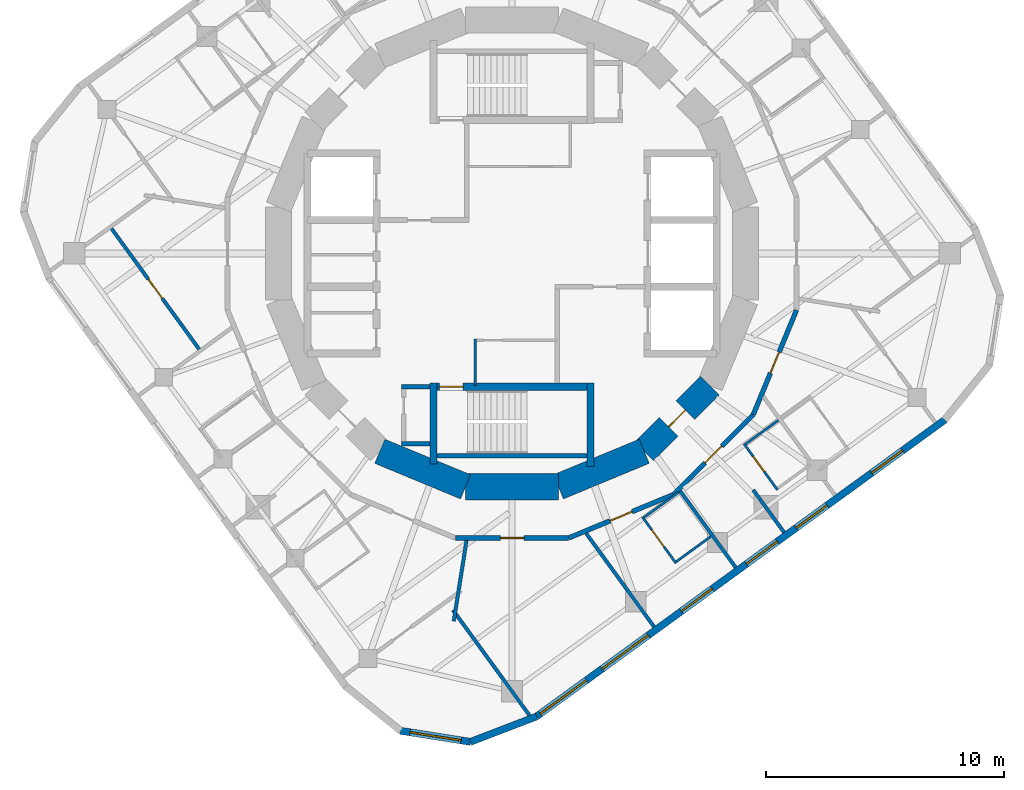
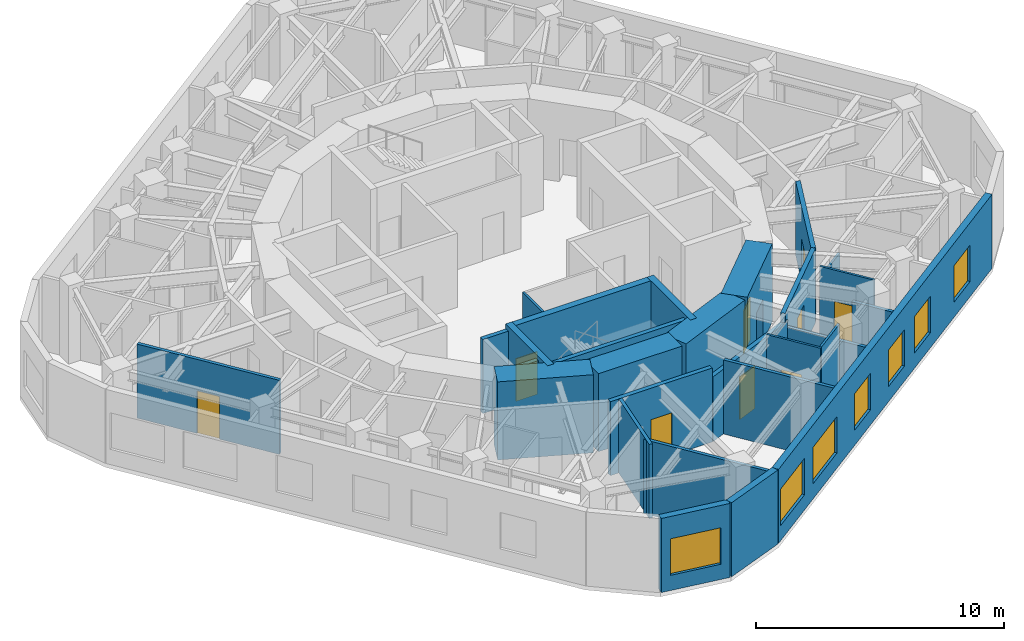
# One storey, part 4 of 9: 29 walls, 9 doors, 7 windows, 16 openings.
"""IFC4 building model written with IfcOpenShell, lengths in metres."""

from ifc_helpers import new_model, si_unit, direction, frame, frame_2d, origin, place, context, subcontext, project, spatial, rectangle, extrude, material, layer, layer_set, type_object, element, fill, save


model = new_model("IFC4")

# Units and contexts
model_context = context("Model", 3, precision=1e-05, world=origin(), true_north=direction((0.0, 1.0)))
body_context = subcontext(model_context, "Body", "Model", "MODEL_VIEW")
ifc_project = project(units=[si_unit("LENGTHUNIT", "METRE"), si_unit("AREAUNIT", "SQUARE_METRE"), si_unit("VOLUMEUNIT", "CUBIC_METRE"), si_unit("PLANEANGLEUNIT", "RADIAN"), si_unit("MASSUNIT", "GRAM", prefix="KILO")], contexts=[model_context])

# Site, building, storey
site_placement = place(None, origin())
site = spatial("IfcSite", under=ifc_project, at=site_placement, CompositionType="ELEMENT")
building_placement = place(site_placement, origin())
building = spatial("IfcBuilding", under=site, at=building_placement, Name="Nakasero Lantern House", CompositionType="ELEMENT")
storey_placement = place(building_placement, frame((0.0, 0.0, 290.699951171875)))
storey = spatial("IfcBuildingStorey", under=building, at=storey_placement, Name="L71", CompositionType="ELEMENT", Elevation=290.699951171875)

# Wall, opening, door
ifc_material_1 = material(Name="Concrete C50/60", Category="concrete")
ifc_layer_1 = layer(ifc_material_1, 0.300048828125)
ifc_layer_set_1 = layer_set([ifc_layer_1], Name="Core inner wall 300")
wall_type_1 = type_object("IfcWallType", Name="Core inner wall 300", PredefinedType="SHEAR", material=ifc_layer_set_1)
wall_1_placement = place(storey_placement, frame((-3.449951171875, -5.60009765625, 0.0), z_axis=(0.0, 0.0, 1.0), x_axis=(1.0, 0.0, 0.0)))
wall_1 = element("IfcWall", 1, at=wall_1_placement, inside=storey, type_object=wall_type_1, Name="Core inner wall L71 SS", PredefinedType="SHEAR", context=body_context, shape_type="SweptSolid", body=[
    extrude(rectangle(XDim=6.89990234375, YDim=0.300048828125, at=frame_2d((3.449951171875, 0.0))), origin(), (0.0, 0.0, 1.0), 3.85009765625),
])
opening_1_placement = place(wall_1_placement, frame((0.39990234375, 0.0, 0.0)))
opening_1 = element("IfcOpeningElement", 2, at=opening_1_placement, cuts=wall_1, Name="Opening D05", PredefinedType="OPENING", context=body_context, shape_type="SweptSolid", body=[
    extrude(rectangle(XDim=1.0, YDim=2.10009765625, at=frame_2d((0.5, 1.050048828125))), frame((0.0, 0.169921875, 0.0), z_axis=(0.0, -1.0, 0.0), x_axis=(1.0, 0.0, 0.0)), (0.0, 0.0, 1.0), 0.340087890625),
])
ifc_material_2 = material(Name="Timber C24", Category="wood")
door_type_1 = type_object("IfcDoorType", Name="Core door FD60S 1000", OperationType="SINGLE_SWING_LEFT", PredefinedType="DOOR", material=ifc_material_2)
door_1_placement = place(opening_1_placement, origin())
door_1 = element("IfcDoor", 3, at=door_1_placement, inside=storey, type_object=door_type_1, Name="Door L71 D-ST2", OperationType="SINGLE_SWING_LEFT", OverallHeight=2.10009765625, OverallWidth=1.0, PredefinedType="DOOR", context=body_context, shape_type="SweptSolid", body=[
    extrude(rectangle(XDim=1.0, YDim=2.10009765625, at=frame_2d((0.5, 1.050048828125))), frame((0.0, 0.02490234375, 0.0), z_axis=(0.0, -1.0, 0.0), x_axis=(1.0, 0.0, 0.0)), (0.0, 0.0, 1.0), 0.050048828125),
])
fill(opening_1, door_1)

# Walls
wall_2_placement = place(storey_placement, frame((-3.300048828125, -5.449951171875, 0.0), z_axis=(0.0, 0.0, 1.0), x_axis=(0.0, -1.0, 0.0)))
element("IfcWall", 4, at=wall_2_placement, inside=storey, type_object=wall_type_1, Name="Core inner wall L71 SSW", PredefinedType="SHEAR", context=body_context, shape_type="SweptSolid", body=[
    extrude(rectangle(XDim=3.400146484375, YDim=0.300048828125, at=frame_2d((1.7001953125, 0.0))), origin(), (0.0, 0.0, 1.0), 3.85009765625),
])
wall_3_placement = place(storey_placement, frame((3.300048828125, -5.449951171875, 0.0), z_axis=(0.0, 0.0, 1.0), x_axis=(0.0, -1.0, 0.0)))
element("IfcWall", 5, at=wall_3_placement, inside=storey, type_object=wall_type_1, Name="Core inner wall L71 SSE", PredefinedType="SHEAR", context=body_context, shape_type="SweptSolid", body=[
    extrude(rectangle(XDim=3.5, YDim=0.300048828125, at=frame_2d((1.75, 0.0))), origin(), (0.0, 0.0, 1.0), 3.85009765625),
])
ifc_material_3 = material(Name="Blockwork", Category="masonry")
ifc_layer_2 = layer(ifc_material_3, 0.10009765625)
ifc_layer_set_2 = layer_set([ifc_layer_2], Name="Core room wall 100")
wall_type_2 = type_object("IfcWallType", Name="Core room wall 100", PredefinedType="PARTITIONING", material=ifc_layer_set_2)
wall_4_placement = place(storey_placement, frame((-1.550048828125, -5.550048828125, 0.0), z_axis=(0.0, 0.0, 1.0), x_axis=(0.0, 1.0, 0.0)))
element("IfcWall", 6, at=wall_4_placement, inside=storey, type_object=wall_type_2, Name="Core room wall L71 CR-SWW", PredefinedType="PARTITIONING", context=body_context, shape_type="SweptSolid", body=[
    extrude(rectangle(XDim=1.949951171875, YDim=0.10009765625, at=frame_2d((0.97509765625, 0.0))), origin(), (0.0, 0.0, 1.0), 3.650146484375),
])
ifc_material_4 = material(Name="Concrete C50/60", Category="concrete")
ifc_layer_3 = layer(ifc_material_4, 1.10009765625)
ifc_layer_set_3 = layer_set([ifc_layer_3], Name="Core wall 1100")
wall_type_3 = type_object("IfcWallType", Name="Core wall 1100", PredefinedType="SHEAR", material=ifc_layer_set_3)
for number, where, z_axis, x_axis, name in (
    (7, (-5.5556640625, -8.314697265625, 0.0), (0.0, 0.0, 1.0), (0.923876507187, -0.382690736062, 0.0), "Core wall L71 facet 11"),
    (8, (-1.950927734375, -9.807861328125, 0.0), (0.0, 0.0, 1.0), (1.0, 0.0, 0.0), "Core wall L71 facet 12"),
    (9, (1.950927734375, -9.807861328125, 0.0), (0.0, 0.0, 1.0), (0.923876507187, 0.382690736062, 0.0), "Core wall L71 facet 13"),
):
    element("IfcWall", number, at=place(storey_placement, frame(where, z_axis=z_axis, x_axis=x_axis)), inside=storey, type_object=wall_type_3, Name=name, PredefinedType="SHEAR", context=body_context, shape_type="SweptSolid", body=[
        extrude(rectangle(XDim=3.90185546875, YDim=1.10009765625, at=frame_2d((1.950927734375, 0.0))), origin(), (0.0, 0.0, 1.0), 3.85009765625),
    ])

# Wall, opening, door
wall_5_placement = place(storey_placement, frame((5.5556640625, -8.314697265625, 0.0), z_axis=(0.0, 0.0, 1.0), x_axis=(0.707106781187, 0.707106781187, 0.0)))
wall_5 = element("IfcWall", 10, at=wall_5_placement, inside=storey, type_object=wall_type_3, Name="Core wall L71 facet 14", PredefinedType="SHEAR", context=body_context, shape_type="SweptSolid", body=[
    extrude(rectangle(XDim=3.90185546875, YDim=1.10009765625, at=frame_2d((1.950927734375, 0.0))), origin(), (0.0, 0.0, 1.0), 3.85009765625),
])
opening_2_placement = place(wall_5_placement, frame((1.450927734375, 0.0, 0.0)))
opening_2 = element("IfcOpeningElement", 11, at=opening_2_placement, cuts=wall_5, Name="Opening D05", PredefinedType="OPENING", context=body_context, shape_type="SweptSolid", body=[
    extrude(rectangle(XDim=1.0, YDim=2.10009765625, at=frame_2d((0.5, 1.050048828125))), frame((0.0, 0.570068359375, 0.0), z_axis=(0.0, -1.0, 0.0), x_axis=(1.0, 0.0, 0.0)), (0.0, 0.0, 1.0), 1.14013671875),
])
door_2_placement = place(opening_2_placement, origin())
door_2 = element("IfcDoor", 12, at=door_2_placement, inside=storey, type_object=door_type_1, Name="Door L71 D-CORE14", OperationType="SINGLE_SWING_LEFT", OverallHeight=2.10009765625, OverallWidth=1.0, PredefinedType="DOOR", context=body_context, shape_type="SweptSolid", body=[
    extrude(rectangle(XDim=1.0, YDim=2.10009765625, at=frame_2d((0.5, 1.050048828125))), frame((0.0, 0.02490234375, 0.0), z_axis=(0.0, -1.0, 0.0), x_axis=(1.0, 0.0, 0.0)), (0.0, 0.0, 1.0), 0.050048828125),
])
fill(opening_2, door_2)

ifc_material_5 = material(Name="Blockwork", Category="masonry")
ifc_layer_4 = layer(ifc_material_5, 0.199951171875)
ifc_layer_set_4 = layer_set([ifc_layer_4], Name="Corridor wall 200")
wall_type_4 = type_object("IfcWallType", Name="Corridor wall 200", PredefinedType="PARTITIONING", material=ifc_layer_set_4)
wall_6_placement = place(storey_placement, frame((11.957763671875, -2.378662109375, 0.0), z_axis=(0.0, 0.0, 1.0), x_axis=(-0.382653970627, -0.923891735412, 0.0)))
wall_6 = element("IfcWall", 13, at=wall_6_placement, inside=storey, type_object=wall_type_4, Name="Corridor wall L71 RC01a", PredefinedType="PARTITIONING", context=body_context, shape_type="SweptSolid", body=[
    extrude(rectangle(XDim=4.757080078125, YDim=0.199951171875, at=frame_2d((2.37841796875, 0.0))), origin(), (0.0, 0.0, 1.0), 3.650146484375),
])
opening_3_placement = place(wall_6_placement, frame((1.919921875, 0.0, 0.0)))
opening_3 = element("IfcOpeningElement", 14, at=opening_3_placement, cuts=wall_6, Name="Opening D01", PredefinedType="OPENING", context=body_context, shape_type="SweptSolid", body=[
    extrude(rectangle(XDim=0.949951171875, YDim=2.10009765625, at=frame_2d((0.47509765625, 1.050048828125))), frame((0.0, 0.119873046875, 0.0), z_axis=(0.0, -1.0, 0.0), x_axis=(1.0, 0.0, 0.0)), (0.0, 0.0, 1.0), 0.239990234375),
])
ifc_material_6 = material(Name="Timber C24", Category="wood")
door_type_2 = type_object("IfcDoorType", Name="Bedroom door FD30S 950", OperationType="SINGLE_SWING_LEFT", PredefinedType="DOOR", material=ifc_material_6)
door_3_placement = place(opening_3_placement, origin())
door_3 = element("IfcDoor", 15, at=door_3_placement, inside=storey, type_object=door_type_2, Name="Door L71 D3-06", OperationType="SINGLE_SWING_RIGHT", OverallHeight=2.10009765625, OverallWidth=0.949951171875, PredefinedType="DOOR", context=body_context, shape_type="SweptSolid", body=[
    extrude(rectangle(XDim=0.949951171875, YDim=2.10009765625, at=frame_2d((0.47509765625, 1.050048828125))), frame((0.0, 0.02490234375, 0.0), z_axis=(0.0, -1.0, 0.0), x_axis=(1.0, 0.0, 0.0)), (0.0, 0.0, 1.0), 0.050048828125),
])
fill(opening_3, door_3)

wall_7_placement = place(storey_placement, frame((10.137451171875, -6.773681640625, 0.0), z_axis=(0.0, 0.0, 1.0), x_axis=(-0.707106781187, -0.707106781187, 0.0)))
wall_7 = element("IfcWall", 16, at=wall_7_placement, inside=storey, type_object=wall_type_4, Name="Corridor wall L71 RC02a", PredefinedType="PARTITIONING", context=body_context, shape_type="SweptSolid", body=[
    extrude(rectangle(XDim=4.757080078125, YDim=0.199951171875, at=frame_2d((2.37841796875, 0.0))), origin(), (0.0, 0.0, 1.0), 3.650146484375),
])
opening_4_placement = place(wall_7_placement, frame((1.8701171875, 0.0, 0.0)))
opening_4 = element("IfcOpeningElement", 17, at=opening_4_placement, cuts=wall_7, Name="Opening D07", PredefinedType="OPENING", context=body_context, shape_type="SweptSolid", body=[
    extrude(rectangle(XDim=1.0, YDim=2.10009765625, at=frame_2d((0.5, 1.050048828125))), frame((0.0, 0.119873046875, 0.0), z_axis=(0.0, -1.0, 0.0), x_axis=(1.0, 0.0, 0.0)), (0.0, 0.0, 1.0), 0.239990234375),
])
ifc_material_7 = material(Name="Timber C24", Category="wood")
door_type_3 = type_object("IfcDoorType", Name="Room door FD30S 1000", OperationType="SINGLE_SWING_LEFT", PredefinedType="DOOR", material=ifc_material_7)
door_4_placement = place(opening_4_placement, origin())
door_4 = element("IfcDoor", 18, at=door_4_placement, inside=storey, type_object=door_type_3, Name="Door L71 D3-04", OperationType="SINGLE_SWING_LEFT", OverallHeight=2.10009765625, OverallWidth=1.0, PredefinedType="DOOR", context=body_context, shape_type="SweptSolid", body=[
    extrude(rectangle(XDim=1.0, YDim=2.10009765625, at=frame_2d((0.5, 1.050048828125))), frame((0.0, 0.02490234375, 0.0), z_axis=(0.0, -1.0, 0.0), x_axis=(1.0, 0.0, 0.0)), (0.0, 0.0, 1.0), 0.050048828125),
])
fill(opening_4, door_4)

wall_8_placement = place(storey_placement, frame((6.773681640625, -10.137451171875, 0.0), z_axis=(0.0, 0.0, 1.0), x_axis=(-0.923891735412, -0.382653970627, 0.0)))
wall_8 = element("IfcWall", 19, at=wall_8_placement, inside=storey, type_object=wall_type_4, Name="Corridor wall L71 RC03a", PredefinedType="PARTITIONING", context=body_context, shape_type="SweptSolid", body=[
    extrude(rectangle(XDim=4.757080078125, YDim=0.199951171875, at=frame_2d((2.37841796875, 0.0))), origin(), (0.0, 0.0, 1.0), 3.18994140625),
])
opening_5_placement = place(wall_8_placement, frame((1.8701171875, 0.0, 0.0)))
opening_5 = element("IfcOpeningElement", 20, at=opening_5_placement, cuts=wall_8, Name="Opening D07", PredefinedType="OPENING", context=body_context, shape_type="SweptSolid", body=[
    extrude(rectangle(XDim=1.0, YDim=2.10009765625, at=frame_2d((0.5, 1.050048828125))), frame((0.0, 0.119873046875, 0.0), z_axis=(0.0, -1.0, 0.0), x_axis=(1.0, 0.0, 0.0)), (0.0, 0.0, 1.0), 0.239990234375),
])
door_5_placement = place(opening_5_placement, origin())
door_5 = element("IfcDoor", 21, at=door_5_placement, inside=storey, type_object=door_type_3, Name="Door L71 D3-03", OperationType="SINGLE_SWING_LEFT", OverallHeight=2.10009765625, OverallWidth=1.0, PredefinedType="DOOR", context=body_context, shape_type="SweptSolid", body=[
    extrude(rectangle(XDim=1.0, YDim=2.10009765625, at=frame_2d((0.5, 1.050048828125))), frame((0.0, 0.02490234375, 0.0), z_axis=(0.0, -1.0, 0.0), x_axis=(1.0, 0.0, 0.0)), (0.0, 0.0, 1.0), 0.050048828125),
])
fill(opening_5, door_5)

wall_9_placement = place(storey_placement, frame((2.378662109375, -11.957763671875, 0.0), z_axis=(0.0, 0.0, 1.0), x_axis=(-1.0, 0.0, 0.0)))
wall_9 = element("IfcWall", 22, at=wall_9_placement, inside=storey, type_object=wall_type_4, Name="Corridor wall L71 RC04a", PredefinedType="PARTITIONING", context=body_context, shape_type="SweptSolid", body=[
    extrude(rectangle(XDim=4.75732421875, YDim=0.199951171875, at=frame_2d((2.378662109375, 0.0))), origin(), (0.0, 0.0, 1.0), 3.650146484375),
])
opening_6_placement = place(wall_9_placement, frame((1.8701171875, 0.0, 0.0)))
opening_6 = element("IfcOpeningElement", 23, at=opening_6_placement, cuts=wall_9, Name="Opening D03", PredefinedType="OPENING", context=body_context, shape_type="SweptSolid", body=[
    extrude(rectangle(XDim=1.0, YDim=2.10009765625, at=frame_2d((0.5, 1.050048828125))), frame((0.0, 0.119873046875, 0.0), z_axis=(0.0, -1.0, 0.0), x_axis=(1.0, 0.0, 0.0)), (0.0, 0.0, 1.0), 0.239990234375),
])
ifc_material_8 = material(Name="Timber C24", Category="wood")
door_type_4 = type_object("IfcDoorType", Name="Lounge door FD30S 1000", OperationType="SINGLE_SWING_LEFT", PredefinedType="DOOR", material=ifc_material_8)
door_6_placement = place(opening_6_placement, origin())
door_6 = element("IfcDoor", 24, at=door_6_placement, inside=storey, type_object=door_type_4, Name="Door L71 DK3", OperationType="SINGLE_SWING_LEFT", OverallHeight=2.10009765625, OverallWidth=1.0, PredefinedType="DOOR", context=body_context, shape_type="SweptSolid", body=[
    extrude(rectangle(XDim=1.0, YDim=2.10009765625, at=frame_2d((0.5, 1.050048828125))), frame((0.0, 0.02490234375, 0.0), z_axis=(0.0, -1.0, 0.0), x_axis=(1.0, 0.0, 0.0)), (0.0, 0.0, 1.0), 0.050048828125),
])
fill(opening_6, door_6)

ifc_material_9 = material(Name="Blockwork", Category="masonry")
ifc_layer_5 = layer(ifc_material_9, 0.10009765625)
ifc_layer_set_5 = layer_set([ifc_layer_5], Name="En-suite wall 100")
wall_type_5 = type_object("IfcWallType", Name="En-suite wall 100", PredefinedType="PARTITIONING", material=ifc_layer_set_5)
wall_10_placement = place(storey_placement, frame((5.48193359375, -11.078125, 0.0), z_axis=(0.0, 0.0, 1.0), x_axis=(0.587772420479, -0.809026317077, 0.0)))
wall_10 = element("IfcWall", 25, at=wall_10_placement, inside=storey, type_object=wall_type_5, Name="En-suite wall L71 ES3-03", PredefinedType="PARTITIONING", context=body_context, shape_type="SweptSolid", body=[
    extrude(rectangle(XDim=2.39990234375, YDim=0.10009765625, at=frame_2d((1.199951171875, 0.0))), origin(), (0.0, 0.0, 1.0), 3.650146484375),
])
opening_7_placement = place(wall_10_placement, frame((0.64990234375, 0.0, 0.0)))
opening_7 = element("IfcOpeningElement", 26, at=opening_7_placement, cuts=wall_10, Name="Opening D16", PredefinedType="OPENING", context=body_context, shape_type="SweptSolid", body=[
    extrude(rectangle(XDim=0.89990234375, YDim=2.10009765625, at=frame_2d((0.449951171875, 1.050048828125))), frame((0.0, 0.070068359375, 0.0), z_axis=(0.0, -1.0, 0.0), x_axis=(1.0, 0.0, 0.0)), (0.0, 0.0, 1.0), 0.14013671875),
])
ifc_material_10 = material(Name="Timber C24", Category="wood")
door_type_5 = type_object("IfcDoorType", Name="Accessible WC door 900", OperationType="SINGLE_SWING_RIGHT", PredefinedType="DOOR", material=ifc_material_10)
door_7_placement = place(opening_7_placement, origin())
door_7 = element("IfcDoor", 27, at=door_7_placement, inside=storey, type_object=door_type_5, Name="Door L71 DE3-03", OperationType="SINGLE_SWING_LEFT", OverallHeight=2.10009765625, OverallWidth=0.89990234375, PredefinedType="DOOR", context=body_context, shape_type="SweptSolid", body=[
    extrude(rectangle(XDim=0.89990234375, YDim=2.10009765625, at=frame_2d((0.449951171875, 1.050048828125))), frame((0.0, 0.02490234375, 0.0), z_axis=(0.0, -1.0, 0.0), x_axis=(1.0, 0.0, 0.0)), (0.0, 0.0, 1.0), 0.050048828125),
])
fill(opening_7, door_7)

# Walls
wall_11_placement = place(storey_placement, frame((6.903564453125, -12.949951171875, 0.0), z_axis=(0.0, 0.0, 1.0), x_axis=(0.809005783898, 0.58780068188, 0.0)))
element("IfcWall", 28, at=wall_11_placement, inside=storey, type_object=wall_type_5, Name="En-suite wall L71 EE3-03", PredefinedType="PARTITIONING", context=body_context, shape_type="SweptSolid", body=[
    extrude(rectangle(XDim=1.800048828125, YDim=0.10009765625, at=frame_2d((0.89990234375, 0.0))), origin(), (0.0, 0.0, 1.0), 3.650146484375),
])
wall_12_placement = place(storey_placement, frame((5.5517578125, -11.089111328125, 0.0), z_axis=(0.0, 0.0, 1.0), x_axis=(0.809070278701, 0.587711905718, 0.0)))
element("IfcWall", 29, at=wall_12_placement, inside=storey, type_object=wall_type_5, Name="En-suite wall L71 EI3-03", PredefinedType="PARTITIONING", context=body_context, shape_type="SweptSolid", body=[
    extrude(rectangle(XDim=1.800048828125, YDim=0.10009765625, at=frame_2d((0.89990234375, 0.0))), origin(), (0.0, 0.0, 1.0), 3.18994140625),
])

# Wall, opening, door
wall_13_placement = place(storey_placement, frame((9.747314453125, -7.998291015625, 0.0), z_axis=(0.0, 0.0, 1.0), x_axis=(0.587772420479, -0.809026317077, 0.0)))
wall_13 = element("IfcWall", 30, at=wall_13_placement, inside=storey, type_object=wall_type_5, Name="En-suite wall L71 ES3-04", PredefinedType="PARTITIONING", context=body_context, shape_type="SweptSolid", body=[
    extrude(rectangle(XDim=2.39990234375, YDim=0.10009765625, at=frame_2d((1.199951171875, 0.0))), origin(), (0.0, 0.0, 1.0), 3.650146484375),
])
opening_8_placement = place(wall_13_placement, frame((0.64990234375, 0.0, 0.0)))
opening_8 = element("IfcOpeningElement", 31, at=opening_8_placement, cuts=wall_13, Name="Opening D15", PredefinedType="OPENING", context=body_context, shape_type="SweptSolid", body=[
    extrude(rectangle(XDim=0.800048828125, YDim=2.10009765625, at=frame_2d((0.39990234375, 1.050048828125))), frame((0.0, 0.070068359375, 0.0), z_axis=(0.0, -1.0, 0.0), x_axis=(1.0, 0.0, 0.0)), (0.0, 0.0, 1.0), 0.14013671875),
])
ifc_material_11 = material(Name="Timber C24", Category="wood")
door_type_6 = type_object("IfcDoorType", Name="Cleaner's store door FD30S 800", OperationType="SINGLE_SWING_LEFT", PredefinedType="DOOR", material=ifc_material_11)
door_8_placement = place(opening_8_placement, origin())
door_8 = element("IfcDoor", 32, at=door_8_placement, inside=storey, type_object=door_type_6, Name="Door L71 DE3-04", OperationType="SINGLE_SWING_LEFT", OverallHeight=2.10009765625, OverallWidth=0.800048828125, PredefinedType="DOOR", context=body_context, shape_type="SweptSolid", body=[
    extrude(rectangle(XDim=0.800048828125, YDim=2.10009765625, at=frame_2d((0.39990234375, 1.050048828125))), frame((0.0, 0.02490234375, 0.0), z_axis=(0.0, -1.0, 0.0), x_axis=(1.0, 0.0, 0.0)), (0.0, 0.0, 1.0), 0.050048828125),
])
fill(opening_8, door_8)

# Wall
wall_14_placement = place(storey_placement, frame((9.817138671875, -8.00927734375, 0.0), z_axis=(0.0, 0.0, 1.0), x_axis=(0.808990636343, 0.587821529301, 0.0)))
element("IfcWall", 33, at=wall_14_placement, inside=storey, type_object=wall_type_5, Name="En-suite wall L71 EI3-04", PredefinedType="PARTITIONING", context=body_context, shape_type="SweptSolid", body=[
    extrude(rectangle(XDim=1.699951171875, YDim=0.10009765625, at=frame_2d((0.85009765625, 0.0))), origin(), (0.0, 0.0, 1.0), 3.18994140625),
])

# Wall, opening, window
ifc_material_12 = material(Name="Aluminium rainscreen on blockwork", Category="masonry")
ifc_layer_6 = layer(ifc_material_12, 0.300048828125)
ifc_layer_set_6 = layer_set([ifc_layer_6], Name="Facade wall 300")
wall_type_6 = type_object("IfcWallType", Name="Facade wall 300", PredefinedType="SOLIDWALL", material=ifc_layer_set_6)
wall_15_placement = place(storey_placement, frame((-4.683837890625, -20.05908203125, 0.0), z_axis=(0.0, 0.0, 1.0), x_axis=(0.987691704133, -0.156413227021, 0.0)))
wall_15 = element("IfcWall", 34, at=wall_15_placement, inside=storey, type_object=wall_type_6, Name="Facade wall L71 FW2C2", PredefinedType="SOLIDWALL", context=body_context, shape_type="SweptSolid", body=[
    extrude(rectangle(XDim=2.9765625, YDim=0.300048828125, at=frame_2d((1.48828125, 0.0))), origin(), (0.0, 0.0, 1.0), 3.650146484375),
])
opening_9_placement = place(wall_15_placement, frame((0.39990234375, 0.0, 0.75)))
opening_9 = element("IfcOpeningElement", 35, at=opening_9_placement, cuts=wall_15, Name="Opening W221", PredefinedType="OPENING", context=body_context, shape_type="SweptSolid", body=[
    extrude(rectangle(XDim=2.176025390625, YDim=1.800048828125, at=frame_2d((1.087890625, 0.89990234375))), frame((0.0, 0.169921875, 0.0), z_axis=(0.0, -1.0, 0.0), x_axis=(1.0, 0.0, 0.0)), (0.0, 0.0, 1.0), 0.340087890625),
])
ifc_material_13 = material(Name="Aluminium 6063-T6 and glass", Category="aluminium")
window_type_1 = type_object("IfcWindowType", Name="Corner window 2176x1800", PartitioningType="SINGLE_PANEL", PredefinedType="WINDOW", material=ifc_material_13)
window_1_placement = place(opening_9_placement, origin())
window_1 = element("IfcWindow", 36, at=window_1_placement, inside=storey, type_object=window_type_1, Name="Window L71 WC2", OverallHeight=1.800048828125, OverallWidth=2.176025390625, PartitioningType="SINGLE_PANEL", PredefinedType="WINDOW", context=body_context, shape_type="SweptSolid", body=[
    extrude(rectangle(XDim=2.176025390625, YDim=1.800048828125, at=frame_2d((1.087890625, 0.89990234375))), frame((0.0, 0.030029296875, 0.0), z_axis=(0.0, -1.0, 0.0), x_axis=(1.0, 0.0, 0.0)), (0.0, 0.0, 1.0), 0.06005859375),
])
fill(opening_9, window_1)

# Wall
wall_16_placement = place(storey_placement, frame((-1.743896484375, -20.524658203125, 0.0), z_axis=(0.0, 0.0, 1.0), x_axis=(0.933573745966, 0.35838535244, 0.0)))
element("IfcWall", 37, at=wall_16_placement, inside=storey, type_object=wall_type_6, Name="Facade wall L71 FW2C3", PredefinedType="SOLIDWALL", context=body_context, shape_type="SweptSolid", body=[
    extrude(rectangle(XDim=2.976318359375, YDim=0.300048828125, at=frame_2d((1.48828125, 0.0))), origin(), (0.0, 0.0, 1.0), 3.650146484375),
])

# Wall, openings, windows
wall_17_placement = place(storey_placement, frame((1.03466796875, -19.4580078125, 0.0), z_axis=(0.0, 0.0, 1.0), x_axis=(0.809013375328, 0.587790233451, 0.0)))
wall_17 = element("IfcWall", 38, at=wall_17_placement, inside=storey, type_object=wall_type_6, Name="Facade wall L71 FW3S", PredefinedType="SOLIDWALL", context=body_context, shape_type="SweptSolid", body=[
    extrude(rectangle(XDim=21.199951171875, YDim=0.300048828125, at=frame_2d((10.60009765625, 0.0))), origin(), (0.0, 0.0, 1.0), 3.650146484375),
])
opening_10_placement = place(wall_17_placement, frame((7.52783203125, 0.0, 0.75)))
opening_10 = element("IfcOpeningElement", 39, at=opening_10_placement, cuts=wall_17, Name="Opening W01", PredefinedType="OPENING", context=body_context, shape_type="SweptSolid", body=[
    extrude(rectangle(XDim=1.60009765625, YDim=1.800048828125, at=frame_2d((0.800048828125, 0.89990234375))), frame((0.0, 0.169921875, 0.0), z_axis=(0.0, -1.0, 0.0), x_axis=(1.0, 0.0, 0.0)), (0.0, 0.0, 1.0), 0.340087890625),
])
opening_11_placement = place(wall_17_placement, frame((10.904052734375, 0.0, 0.75)))
opening_11 = element("IfcOpeningElement", 40, at=opening_11_placement, cuts=wall_17, Name="Opening W01", PredefinedType="OPENING", context=body_context, shape_type="SweptSolid", body=[
    extrude(rectangle(XDim=1.60009765625, YDim=1.800048828125, at=frame_2d((0.800048828125, 0.89990234375))), frame((0.0, 0.169921875, 0.0), z_axis=(0.0, -1.0, 0.0), x_axis=(1.0, 0.0, 0.0)), (0.0, 0.0, 1.0), 0.340087890625),
])
opening_12_placement = place(wall_17_placement, frame((13.484619140625, 0.0, 0.75)))
opening_12 = element("IfcOpeningElement", 41, at=opening_12_placement, cuts=wall_17, Name="Opening W01", PredefinedType="OPENING", context=body_context, shape_type="SweptSolid", body=[
    extrude(rectangle(XDim=1.60009765625, YDim=1.800048828125, at=frame_2d((0.800048828125, 0.89990234375))), frame((0.0, 0.169921875, 0.0), z_axis=(0.0, -1.0, 0.0), x_axis=(1.0, 0.0, 0.0)), (0.0, 0.0, 1.0), 0.340087890625),
])
opening_13_placement = place(wall_17_placement, frame((17.410888671875, 0.0, 0.75)))
opening_13 = element("IfcOpeningElement", 42, at=opening_13_placement, cuts=wall_17, Name="Opening W01", PredefinedType="OPENING", context=body_context, shape_type="SweptSolid", body=[
    extrude(rectangle(XDim=1.60009765625, YDim=1.800048828125, at=frame_2d((0.800048828125, 0.89990234375))), frame((0.0, 0.169921875, 0.0), z_axis=(0.0, -1.0, 0.0), x_axis=(1.0, 0.0, 0.0)), (0.0, 0.0, 1.0), 0.340087890625),
])
opening_14_placement = place(wall_17_placement, frame((0.1904296875, 0.0, 0.75)))
opening_14 = element("IfcOpeningElement", 43, at=opening_14_placement, cuts=wall_17, Name="Opening W03", PredefinedType="OPENING", context=body_context, shape_type="SweptSolid", body=[
    extrude(rectangle(XDim=2.39990234375, YDim=1.800048828125, at=frame_2d((1.199951171875, 0.89990234375))), frame((0.0, 0.169921875, 0.0), z_axis=(0.0, -1.0, 0.0), x_axis=(1.0, 0.0, 0.0)), (0.0, 0.0, 1.0), 0.340087890625),
])
opening_15_placement = place(wall_17_placement, frame((3.401611328125, 0.0, 0.75)))
opening_15 = element("IfcOpeningElement", 44, at=opening_15_placement, cuts=wall_17, Name="Opening W03", PredefinedType="OPENING", context=body_context, shape_type="SweptSolid", body=[
    extrude(rectangle(XDim=2.39990234375, YDim=1.800048828125, at=frame_2d((1.199951171875, 0.89990234375))), frame((0.0, 0.169921875, 0.0), z_axis=(0.0, -1.0, 0.0), x_axis=(1.0, 0.0, 0.0)), (0.0, 0.0, 1.0), 0.340087890625),
])
ifc_material_14 = material(Name="Aluminium 6063-T6 and glass", Category="aluminium")
window_type_2 = type_object("IfcWindowType", Name="Bedroom window 1600x1800", PartitioningType="SINGLE_PANEL", PredefinedType="WINDOW", material=ifc_material_14)
window_2_placement = place(opening_10_placement, origin())
window_2 = element("IfcWindow", 45, at=window_2_placement, inside=storey, type_object=window_type_2, Name="Window L71 WN3-03", OverallHeight=1.800048828125, OverallWidth=1.60009765625, PartitioningType="SINGLE_PANEL", PredefinedType="WINDOW", context=body_context, shape_type="SweptSolid", body=[
    extrude(rectangle(XDim=1.60009765625, YDim=1.800048828125, at=frame_2d((0.800048828125, 0.89990234375))), frame((0.0, 0.030029296875, 0.0), z_axis=(0.0, -1.0, 0.0), x_axis=(1.0, 0.0, 0.0)), (0.0, 0.0, 1.0), 0.06005859375),
])
fill(opening_10, window_2)
window_3_placement = place(opening_11_placement, origin())
window_3 = element("IfcWindow", 46, at=window_3_placement, inside=storey, type_object=window_type_2, Name="Window L71 WN3-04", OverallHeight=1.800048828125, OverallWidth=1.60009765625, PartitioningType="SINGLE_PANEL", PredefinedType="WINDOW", context=body_context, shape_type="SweptSolid", body=[
    extrude(rectangle(XDim=1.60009765625, YDim=1.800048828125, at=frame_2d((0.800048828125, 0.89990234375))), frame((0.0, 0.030029296875, 0.0), z_axis=(0.0, -1.0, 0.0), x_axis=(1.0, 0.0, 0.0)), (0.0, 0.0, 1.0), 0.06005859375),
])
fill(opening_11, window_3)
window_4_placement = place(opening_12_placement, origin())
window_4 = element("IfcWindow", 47, at=window_4_placement, inside=storey, type_object=window_type_2, Name="Window L71 WN3-05", OverallHeight=1.800048828125, OverallWidth=1.60009765625, PartitioningType="SINGLE_PANEL", PredefinedType="WINDOW", context=body_context, shape_type="SweptSolid", body=[
    extrude(rectangle(XDim=1.60009765625, YDim=1.800048828125, at=frame_2d((0.800048828125, 0.89990234375))), frame((0.0, 0.030029296875, 0.0), z_axis=(0.0, -1.0, 0.0), x_axis=(1.0, 0.0, 0.0)), (0.0, 0.0, 1.0), 0.06005859375),
])
fill(opening_12, window_4)
window_5_placement = place(opening_13_placement, origin())
window_5 = element("IfcWindow", 48, at=window_5_placement, inside=storey, type_object=window_type_2, Name="Window L71 WN3-06", OverallHeight=1.800048828125, OverallWidth=1.60009765625, PartitioningType="SINGLE_PANEL", PredefinedType="WINDOW", context=body_context, shape_type="SweptSolid", body=[
    extrude(rectangle(XDim=1.60009765625, YDim=1.800048828125, at=frame_2d((0.800048828125, 0.89990234375))), frame((0.0, 0.030029296875, 0.0), z_axis=(0.0, -1.0, 0.0), x_axis=(1.0, 0.0, 0.0)), (0.0, 0.0, 1.0), 0.06005859375),
])
fill(opening_13, window_5)
ifc_material_15 = material(Name="Aluminium 6063-T6 and glass", Category="aluminium")
window_type_3 = type_object("IfcWindowType", Name="Lounge window 2400x1800", PartitioningType="SINGLE_PANEL", PredefinedType="WINDOW", material=ifc_material_15)
window_6_placement = place(opening_14_placement, origin())
window_6 = element("IfcWindow", 49, at=window_6_placement, inside=storey, type_object=window_type_3, Name="Window L71 WK3", OverallHeight=1.800048828125, OverallWidth=2.39990234375, PartitioningType="SINGLE_PANEL", PredefinedType="WINDOW", context=body_context, shape_type="SweptSolid", body=[
    extrude(rectangle(XDim=2.39990234375, YDim=1.800048828125, at=frame_2d((1.199951171875, 0.89990234375))), frame((0.0, 0.030029296875, 0.0), z_axis=(0.0, -1.0, 0.0), x_axis=(1.0, 0.0, 0.0)), (0.0, 0.0, 1.0), 0.06005859375),
])
fill(opening_14, window_6)
window_7_placement = place(opening_15_placement, origin())
window_7 = element("IfcWindow", 50, at=window_7_placement, inside=storey, type_object=window_type_3, Name="Window L71 WL3", OverallHeight=1.800048828125, OverallWidth=2.39990234375, PartitioningType="SINGLE_PANEL", PredefinedType="WINDOW", context=body_context, shape_type="SweptSolid", body=[
    extrude(rectangle(XDim=2.39990234375, YDim=1.800048828125, at=frame_2d((1.199951171875, 0.89990234375))), frame((0.0, 0.030029296875, 0.0), z_axis=(0.0, -1.0, 0.0), x_axis=(1.0, 0.0, 0.0)), (0.0, 0.0, 1.0), 0.06005859375),
])
fill(opening_15, window_7)

# Walls
ifc_material_16 = material(Name="Blockwork", Category="masonry")
ifc_layer_7 = layer(ifc_material_16, 0.199951171875)
ifc_layer_set_7 = layer_set([ifc_layer_7], Name="Fire lobby wall 200")
wall_type_7 = type_object("IfcWallType", Name="Fire lobby wall 200", PredefinedType="PARTITIONING", material=ifc_layer_set_7)
for number, where, z_axis, x_axis, name in (
    (51, (-3.449951171875, -8.0, 0.0), (0.0, 0.0, 1.0), (-1.0, 0.0, 0.0), "Fire lobby wall L71 W-RS2S"),
    (52, (-3.449951171875, -5.60009765625, 0.0), (0.0, 0.0, 1.0), (-1.0, 0.0, 0.0), "Fire lobby wall L71 W-RS2N"),
):
    element("IfcWall", number, at=place(storey_placement, frame(where, z_axis=z_axis, x_axis=x_axis)), inside=storey, type_object=wall_type_7, Name=name, PredefinedType="PARTITIONING", context=body_context, shape_type="SweptSolid", body=[
        extrude(rectangle(XDim=1.199951171875, YDim=0.199951171875, at=frame_2d((0.60009765625, 0.0))), origin(), (0.0, 0.0, 1.0), 3.650146484375),
    ])
wall_18_placement = place(storey_placement, frame((-3.300048828125, -8.5, 0.0), z_axis=(0.0, 0.0, 1.0), x_axis=(1.0, 0.0, 0.0)))
element("IfcWall", 53, at=wall_18_placement, inside=storey, type_object=wall_type_7, Name="Fire lobby wall L71 W-STS", PredefinedType="PARTITIONING", context=body_context, shape_type="SweptSolid", body=[
    extrude(rectangle(XDim=6.60009765625, YDim=0.199951171875, at=frame_2d((3.300048828125, 0.0))), origin(), (0.0, 0.0, 1.0), 3.650146484375),
])
ifc_material_17 = material(Name="Blockwork", Category="masonry")
ifc_layer_8 = layer(ifc_material_17, 0.14990234375)
ifc_layer_set_8 = layer_set([ifc_layer_8], Name="Party wall 150")
wall_type_8 = type_object("IfcWallType", Name="Party wall 150", PredefinedType="PARTITIONING", material=ifc_layer_set_8)
wall_19_placement = place(storey_placement, frame((-1.90966796875, -12.057861328125, 0.0), z_axis=(0.0, 0.0, 1.0), x_axis=(-0.156465405864, -0.987683439553, 0.0)))
element("IfcWall", 54, at=wall_19_placement, inside=storey, type_object=wall_type_8, Name="Party wall L71 PD2", PredefinedType="PARTITIONING", context=body_context, shape_type="SweptSolid", body=[
    extrude(rectangle(XDim=3.440673828125, YDim=0.14990234375, at=frame_2d((1.72021484375, 0.0))), origin(), (0.0, 0.0, 1.0), 3.650146484375),
])
wall_20_placement = place(storey_placement, frame((10.13818359375, -9.939208984375, 0.0), z_axis=(0.0, 0.0, 1.0), x_axis=(0.587821928992, -0.808990345923, 0.0)))
element("IfcWall", 55, at=wall_20_placement, inside=storey, type_object=wall_type_8, Name="Party wall L71 PN3-05", PredefinedType="PARTITIONING", context=body_context, shape_type="SweptSolid", body=[
    extrude(rectangle(XDim=2.199951171875, YDim=0.14990234375, at=frame_2d((1.10009765625, 0.0))), origin(), (0.0, 0.0, 1.0), 2.95703125),
])
wall_21_placement = place(storey_placement, frame((-2.48095703125, -14.9853515625, 0.0), z_axis=(0.0, 0.0, 1.0), x_axis=(0.587775959987, -0.809023745549, 0.0)))
element("IfcWall", 56, at=wall_21_placement, inside=storey, type_object=wall_type_8, Name="Party wall L71 PW3-01", PredefinedType="PARTITIONING", context=body_context, shape_type="SweptSolid", body=[
    extrude(rectangle(XDim=5.466552734375, YDim=0.14990234375, at=frame_2d((2.7333984375, 0.0))), origin(), (0.0, 0.0, 1.0), 3.650146484375),
])
wall_22_placement = place(storey_placement, frame((3.114990234375, -11.760986328125, 0.0), z_axis=(0.0, 0.0, 1.0), x_axis=(0.587779883253, -0.809020895183, 0.0)))
element("IfcWall", 57, at=wall_22_placement, inside=storey, type_object=wall_type_8, Name="Party wall L71 PW3-03", PredefinedType="PARTITIONING", context=body_context, shape_type="SweptSolid", body=[
    extrude(rectangle(XDim=4.854248046875, YDim=0.14990234375, at=frame_2d((2.42724609375, 0.0))), origin(), (0.0, 0.0, 1.0), 3.650146484375),
])
wall_23_placement = place(storey_placement, frame((7.067138671875, -9.985107421875, 0.0), z_axis=(0.0, 0.0, 1.0), x_axis=(0.587802119896, -0.809004739075, 0.0)))
element("IfcWall", 58, at=wall_23_placement, inside=storey, type_object=wall_type_8, Name="Party wall L71 PW3-04", PredefinedType="PARTITIONING", context=body_context, shape_type="SweptSolid", body=[
    extrude(rectangle(XDim=3.9677734375, YDim=0.14990234375, at=frame_2d((1.98388671875, 0.0))), origin(), (0.0, 0.0, 1.0), 2.809326171875),
])

# Wall, opening, door
wall_24_placement = place(storey_placement, frame((-16.8359375, 1.055908203125, 0.0), z_axis=(0.0, 0.0, 1.0), x_axis=(0.587781741398, -0.809019545177, 0.0)))
wall_24 = element("IfcWall", 59, at=wall_24_placement, inside=storey, type_object=wall_type_8, Name="Party wall L71 KQ2", PredefinedType="PARTITIONING", context=body_context, shape_type="SweptSolid", body=[
    extrude(rectangle(XDim=6.292236328125, YDim=0.14990234375, at=frame_2d((3.14599609375, 0.0))), origin(), (0.0, 0.0, 1.0), 3.650146484375),
])
opening_16_placement = place(wall_24_placement, frame((2.646240234375, 0.0, 0.0)))
opening_16 = element("IfcOpeningElement", 60, at=opening_16_placement, cuts=wall_24, Name="Opening D03", PredefinedType="OPENING", context=body_context, shape_type="SweptSolid", body=[
    extrude(rectangle(XDim=1.0, YDim=2.10009765625, at=frame_2d((0.5, 1.050048828125))), frame((0.0, 0.094970703125, 0.0), z_axis=(0.0, -1.0, 0.0), x_axis=(1.0, 0.0, 0.0)), (0.0, 0.0, 1.0), 0.18994140625),
])
door_9_placement = place(opening_16_placement, origin())
door_9 = element("IfcDoor", 61, at=door_9_placement, inside=storey, type_object=door_type_4, Name="Door L71 DKQ2", OperationType="SINGLE_SWING_LEFT", OverallHeight=2.10009765625, OverallWidth=1.0, PredefinedType="DOOR", context=body_context, shape_type="SweptSolid", body=[
    extrude(rectangle(XDim=1.0, YDim=2.10009765625, at=frame_2d((0.5, 1.050048828125))), frame((0.0, 0.02490234375, 0.0), z_axis=(0.0, -1.0, 0.0), x_axis=(1.0, 0.0, 0.0)), (0.0, 0.0, 1.0), 0.050048828125),
])
fill(opening_16, door_9)

save(model, "model.ifc")
